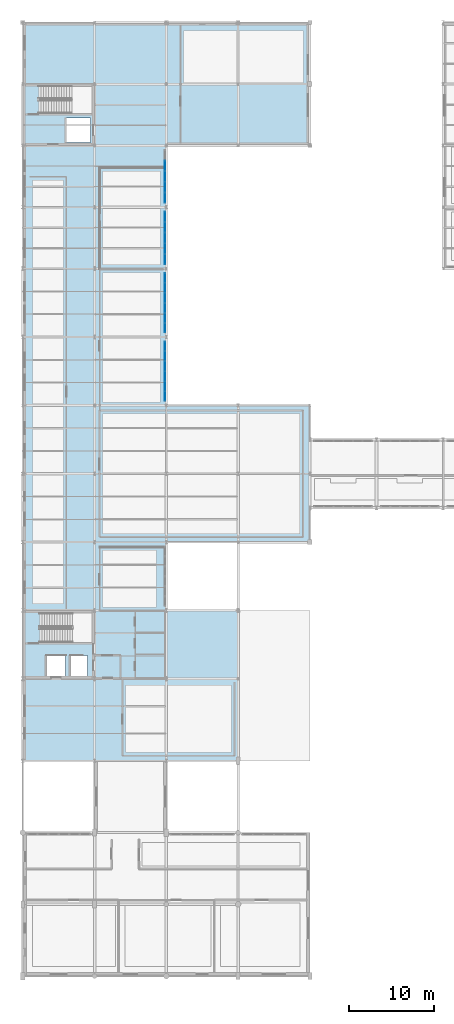
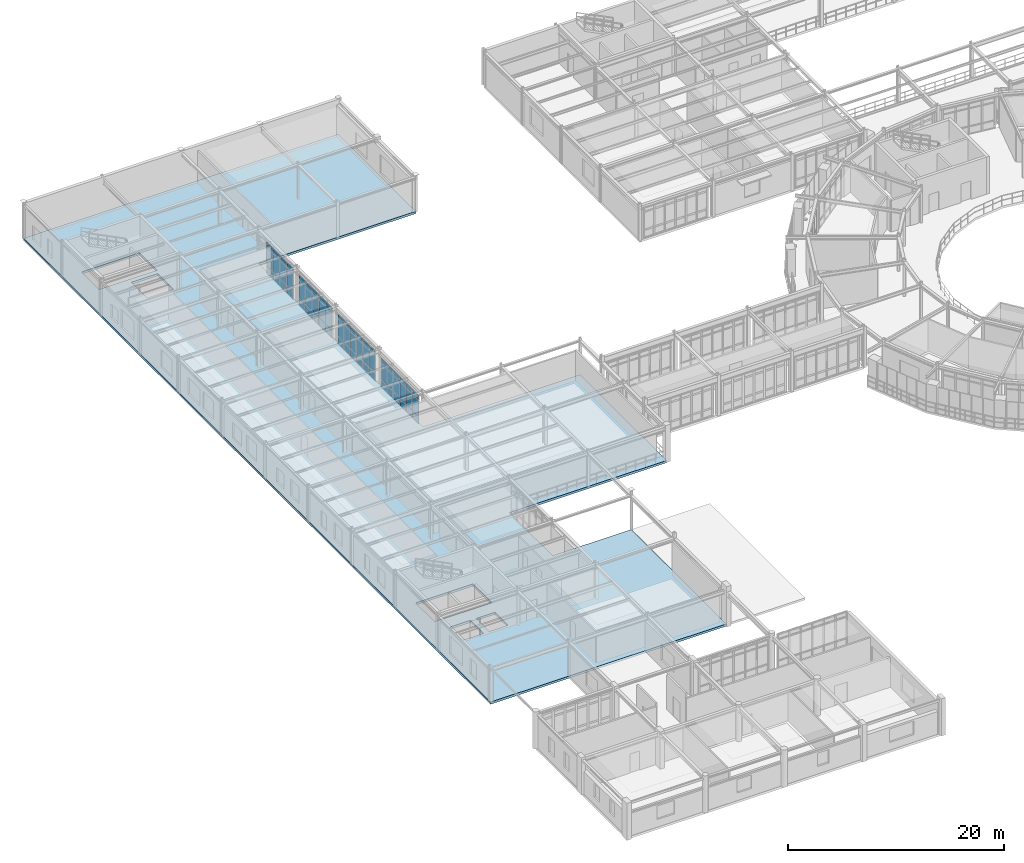
# One storey, part 62 of 90: 63 plates, 1 slab, 4 elements without a shape of their own.
"""IFC4 building model written with IfcOpenShell, lengths in metres."""

from ifc_helpers import new_model, si_unit, derived_unit, direction, frame, origin, origin_2d, place, context, subcontext, project, spatial, polyline, rectangle, outline, extrude, material, layer, layer_set, type_object, element, aggregate, save


model = new_model("IFC4")

# Units and contexts
model_context = context("Model", 3, precision=1e-05, world=origin(), true_north=direction((0.0, 1.0)))
body_context = subcontext(model_context, "Body", "Model", "MODEL_VIEW")
ifc_project = project(units=[si_unit("LENGTHUNIT", "METRE"), si_unit("AREAUNIT", "SQUARE_METRE"), si_unit("VOLUMEUNIT", "CUBIC_METRE"), si_unit("PLANEANGLEUNIT", "RADIAN"), si_unit("MASSUNIT", "GRAM", prefix="KILO"), derived_unit("THERMALTRANSMITTANCEUNIT", [(si_unit("POWERUNIT", "WATT"), 1), (si_unit("AREAUNIT", "SQUARE_METRE"), -1), (si_unit("THERMODYNAMICTEMPERATUREUNIT", "KELVIN"), -1)])], contexts=[model_context])

# Site, building, storey
site_placement = place(None, origin())
site = spatial("IfcSite", under=ifc_project, at=site_placement, CompositionType="ELEMENT")
building_placement = place(site_placement, origin())
building = spatial("IfcBuilding", under=site, at=building_placement, Name="Yasenodar Specialist Clinic", CompositionType="ELEMENT")
storey_placement = place(building_placement, frame((0.0, 0.0, 9.0)))
storey = spatial("IfcBuildingStorey", under=building, at=storey_placement, Name="L02", CompositionType="ELEMENT", Elevation=9.0)

# Curtain wall, plates
ifc_material_1 = material(Name="Bronze Anodized Aluminium and Triple Low-E Glass", Category="aluminium")
ifc_layer_1 = layer(ifc_material_1, 0.202880859375)
ifc_layer_set_1 = layer_set([ifc_layer_1], Name="Bronze Anodized Aluminium and Triple Low-E Glass")
curtain_wall_type = type_object("IfcCurtainWallType", Name="CW-SYS-04", PredefinedType="USERDEFINED", material=ifc_layer_set_1)
curtain_wall_1_placement = place(storey_placement, origin())
curtain_wall_1 = element("IfcCurtainWall", 1, at=curtain_wall_1_placement, inside=storey, type_object=curtain_wall_type, Name="L02 Unitised Curtain Wall 128", ObjectType="UNITISED CURTAIN WALL", PredefinedType="USERDEFINED")
ifc_material_2 = material(Name="Triple Low-E Argon Glazing", Category="glass")
ifc_layer_2 = layer(ifc_material_2, 0.028076171875)
ifc_layer_set_2 = layer_set([ifc_layer_2], Name="Triple Low-E Argon Glazing")
plate_type_1 = type_object("IfcPlateType", Name="CW-PAN-1", PredefinedType="CURTAIN_PANEL", material=ifc_layer_set_2)
plate_1_placement = place(storey_placement, frame((16.64990234375, 81.71826171875, 0.06005859375), z_axis=(0.0, 0.0, 1.0), x_axis=(0.0, -1.0, 0.0)))
plate_1 = element("IfcPlate", 2, at=plate_1_placement, type_object=plate_type_1, Name="CW-04 panel 1.1", PredefinedType="CURTAIN_PANEL", context=body_context, shape_type="SweptSolid", body=[
    extrude(rectangle(XDim=1.083251953125, YDim=0.028076171875, at=origin_2d()), origin(), (0.0, 0.0, 1.0), 0.81005859375),
])
plate_2_placement = place(storey_placement, frame((16.64990234375, 81.71826171875, 0.929931640625), z_axis=(0.0, 0.0, 1.0), x_axis=(0.0, -1.0, 0.0)))
plate_2 = element("IfcPlate", 3, at=plate_2_placement, type_object=plate_type_1, Name="CW-04 panel 1.2", PredefinedType="CURTAIN_PANEL", context=body_context, shape_type="SweptSolid", body=[
    extrude(rectangle(XDim=1.083251953125, YDim=0.028076171875, at=origin_2d()), origin(), (0.0, 0.0, 1.0), 1.91796875),
])
plate_3_placement = place(storey_placement, frame((16.64990234375, 81.71826171875, 2.908203125), z_axis=(0.0, 0.0, 1.0), x_axis=(0.0, -1.0, 0.0)))
plate_3 = element("IfcPlate", 4, at=plate_3_placement, type_object=plate_type_1, Name="CW-04 panel 1.3", PredefinedType="CURTAIN_PANEL", context=body_context, shape_type="SweptSolid", body=[
    extrude(rectangle(XDim=1.083251953125, YDim=0.028076171875, at=origin_2d()), origin(), (0.0, 0.0, 1.0), 0.510009765625),
])
plate_4_placement = place(storey_placement, frame((16.64990234375, 80.56005859375, 0.06005859375), z_axis=(0.0, 0.0, 1.0), x_axis=(0.0, -1.0, 0.0)))
plate_4 = element("IfcPlate", 5, at=plate_4_placement, type_object=plate_type_1, Name="CW-04 panel 2.1", PredefinedType="CURTAIN_PANEL", context=body_context, shape_type="SweptSolid", body=[
    extrude(rectangle(XDim=1.11328125, YDim=0.028076171875, at=origin_2d()), origin(), (0.0, 0.0, 1.0), 0.81005859375),
])
plate_5_placement = place(storey_placement, frame((16.64990234375, 80.56005859375, 0.929931640625), z_axis=(0.0, 0.0, 1.0), x_axis=(0.0, -1.0, 0.0)))
plate_5 = element("IfcPlate", 6, at=plate_5_placement, type_object=plate_type_1, Name="CW-04 panel 2.2", PredefinedType="CURTAIN_PANEL", context=body_context, shape_type="SweptSolid", body=[
    extrude(rectangle(XDim=1.11328125, YDim=0.028076171875, at=origin_2d()), origin(), (0.0, 0.0, 1.0), 1.91796875),
])
plate_6_placement = place(storey_placement, frame((16.64990234375, 80.56005859375, 2.908203125), z_axis=(0.0, 0.0, 1.0), x_axis=(0.0, -1.0, 0.0)))
plate_6 = element("IfcPlate", 7, at=plate_6_placement, type_object=plate_type_1, Name="CW-04 panel 2.3", PredefinedType="CURTAIN_PANEL", context=body_context, shape_type="SweptSolid", body=[
    extrude(rectangle(XDim=1.11328125, YDim=0.028076171875, at=origin_2d()), origin(), (0.0, 0.0, 1.0), 0.510009765625),
])
plate_7_placement = place(storey_placement, frame((16.64990234375, 79.38671875, 0.06005859375), z_axis=(0.0, 0.0, 1.0), x_axis=(0.0, -1.0, 0.0)))
plate_7 = element("IfcPlate", 8, at=plate_7_placement, type_object=plate_type_1, Name="CW-04 panel 3.1", PredefinedType="CURTAIN_PANEL", context=body_context, shape_type="SweptSolid", body=[
    extrude(rectangle(XDim=1.11328125, YDim=0.028076171875, at=origin_2d()), origin(), (0.0, 0.0, 1.0), 0.81005859375),
])
plate_8_placement = place(storey_placement, frame((16.64990234375, 79.38671875, 0.929931640625), z_axis=(0.0, 0.0, 1.0), x_axis=(0.0, -1.0, 0.0)))
plate_8 = element("IfcPlate", 9, at=plate_8_placement, type_object=plate_type_1, Name="CW-04 panel 3.2", PredefinedType="CURTAIN_PANEL", context=body_context, shape_type="SweptSolid", body=[
    extrude(rectangle(XDim=1.11328125, YDim=0.028076171875, at=origin_2d()), origin(), (0.0, 0.0, 1.0), 1.91796875),
])
plate_9_placement = place(storey_placement, frame((16.64990234375, 79.38671875, 2.908203125), z_axis=(0.0, 0.0, 1.0), x_axis=(0.0, -1.0, 0.0)))
plate_9 = element("IfcPlate", 10, at=plate_9_placement, type_object=plate_type_1, Name="CW-04 panel 3.3", PredefinedType="CURTAIN_PANEL", context=body_context, shape_type="SweptSolid", body=[
    extrude(rectangle(XDim=1.11328125, YDim=0.028076171875, at=origin_2d()), origin(), (0.0, 0.0, 1.0), 0.510009765625),
])
plate_10_placement = place(storey_placement, frame((16.64990234375, 78.21337890625, 0.06005859375), z_axis=(0.0, 0.0, 1.0), x_axis=(0.0, -1.0, 0.0)))
plate_10 = element("IfcPlate", 11, at=plate_10_placement, type_object=plate_type_1, Name="CW-04 panel 4.1", PredefinedType="CURTAIN_PANEL", context=body_context, shape_type="SweptSolid", body=[
    extrude(rectangle(XDim=1.11328125, YDim=0.028076171875, at=origin_2d()), origin(), (0.0, 0.0, 1.0), 0.81005859375),
])
plate_11_placement = place(storey_placement, frame((16.64990234375, 78.21337890625, 0.929931640625), z_axis=(0.0, 0.0, 1.0), x_axis=(0.0, -1.0, 0.0)))
plate_11 = element("IfcPlate", 12, at=plate_11_placement, type_object=plate_type_1, Name="CW-04 panel 4.2", PredefinedType="CURTAIN_PANEL", context=body_context, shape_type="SweptSolid", body=[
    extrude(rectangle(XDim=1.11328125, YDim=0.028076171875, at=origin_2d()), origin(), (0.0, 0.0, 1.0), 1.91796875),
])
plate_12_placement = place(storey_placement, frame((16.64990234375, 78.21337890625, 2.908203125), z_axis=(0.0, 0.0, 1.0), x_axis=(0.0, -1.0, 0.0)))
plate_12 = element("IfcPlate", 13, at=plate_12_placement, type_object=plate_type_1, Name="CW-04 panel 4.3", PredefinedType="CURTAIN_PANEL", context=body_context, shape_type="SweptSolid", body=[
    extrude(rectangle(XDim=1.11328125, YDim=0.028076171875, at=origin_2d()), origin(), (0.0, 0.0, 1.0), 0.510009765625),
])
plate_13_placement = place(storey_placement, frame((16.64990234375, 77.0400390625, 0.06005859375), z_axis=(0.0, 0.0, 1.0), x_axis=(0.0, -1.0, 0.0)))
plate_13 = element("IfcPlate", 14, at=plate_13_placement, type_object=plate_type_1, Name="CW-04 panel 5.1", PredefinedType="CURTAIN_PANEL", context=body_context, shape_type="SweptSolid", body=[
    extrude(rectangle(XDim=1.11328125, YDim=0.028076171875, at=origin_2d()), origin(), (0.0, 0.0, 1.0), 0.81005859375),
])
plate_14_placement = place(storey_placement, frame((16.64990234375, 77.0400390625, 0.929931640625), z_axis=(0.0, 0.0, 1.0), x_axis=(0.0, -1.0, 0.0)))
plate_14 = element("IfcPlate", 15, at=plate_14_placement, type_object=plate_type_1, Name="CW-04 panel 5.2", PredefinedType="CURTAIN_PANEL", context=body_context, shape_type="SweptSolid", body=[
    extrude(rectangle(XDim=1.11328125, YDim=0.028076171875, at=origin_2d()), origin(), (0.0, 0.0, 1.0), 1.91796875),
])
plate_15_placement = place(storey_placement, frame((16.64990234375, 77.0400390625, 2.908203125), z_axis=(0.0, 0.0, 1.0), x_axis=(0.0, -1.0, 0.0)))
plate_15 = element("IfcPlate", 16, at=plate_15_placement, type_object=plate_type_1, Name="CW-04 panel 5.3", PredefinedType="CURTAIN_PANEL", context=body_context, shape_type="SweptSolid", body=[
    extrude(rectangle(XDim=1.11328125, YDim=0.028076171875, at=origin_2d()), origin(), (0.0, 0.0, 1.0), 0.510009765625),
])
plate_16_placement = place(storey_placement, frame((16.64990234375, 75.881591796875, 0.06005859375), z_axis=(0.0, 0.0, 1.0), x_axis=(0.0, -1.0, 0.0)))
plate_16 = element("IfcPlate", 17, at=plate_16_placement, type_object=plate_type_1, Name="CW-04 panel 6.1", PredefinedType="CURTAIN_PANEL", context=body_context, shape_type="SweptSolid", body=[
    extrude(rectangle(XDim=1.083251953125, YDim=0.028076171875, at=origin_2d()), origin(), (0.0, 0.0, 1.0), 0.81005859375),
])
plate_17_placement = place(storey_placement, frame((16.64990234375, 75.881591796875, 0.929931640625), z_axis=(0.0, 0.0, 1.0), x_axis=(0.0, -1.0, 0.0)))
plate_17 = element("IfcPlate", 18, at=plate_17_placement, type_object=plate_type_1, Name="CW-04 panel 6.2", PredefinedType="CURTAIN_PANEL", context=body_context, shape_type="SweptSolid", body=[
    extrude(rectangle(XDim=1.083251953125, YDim=0.028076171875, at=origin_2d()), origin(), (0.0, 0.0, 1.0), 1.91796875),
])
plate_18_placement = place(storey_placement, frame((16.64990234375, 75.881591796875, 2.908203125), z_axis=(0.0, 0.0, 1.0), x_axis=(0.0, -1.0, 0.0)))
plate_18 = element("IfcPlate", 19, at=plate_18_placement, type_object=plate_type_1, Name="CW-04 panel 6.3", PredefinedType="CURTAIN_PANEL", context=body_context, shape_type="SweptSolid", body=[
    extrude(rectangle(XDim=1.083251953125, YDim=0.028076171875, at=origin_2d()), origin(), (0.0, 0.0, 1.0), 0.510009765625),
])
aggregate(curtain_wall_1, [plate_1, plate_2, plate_3, plate_4, plate_5, plate_6, plate_7, plate_8, plate_9, plate_10, plate_11, plate_12, plate_13, plate_14, plate_15, plate_16, plate_17, plate_18])

curtain_wall_2_placement = place(storey_placement, origin())
curtain_wall_2 = element("IfcCurtainWall", 20, at=curtain_wall_2_placement, inside=storey, type_object=curtain_wall_type, Name="L02 Unitised Curtain Wall 129", ObjectType="UNITISED CURTAIN WALL", PredefinedType="USERDEFINED")
ifc_layer_3 = layer(ifc_material_2, 0.033935546875)
ifc_layer_set_3 = layer_set([ifc_layer_3], Name="Triple Low-E Argon Glazing")
plate_type_2 = type_object("IfcPlateType", Name="CW-PAN-2", PredefinedType="CURTAIN_PANEL", material=ifc_layer_set_3)
plate_19_placement = place(storey_placement, frame((16.64990234375, 73.71826171875, 0.06005859375), z_axis=(0.0, 0.0, 1.0), x_axis=(0.0, -1.0, 0.0)))
plate_19 = element("IfcPlate", 21, at=plate_19_placement, type_object=plate_type_2, Name="CW-04 panel 1.1", PredefinedType="CURTAIN_PANEL", context=body_context, shape_type="SweptSolid", body=[
    extrude(rectangle(XDim=1.083251953125, YDim=0.033935546875, at=origin_2d()), origin(), (0.0, 0.0, 1.0), 0.81005859375),
])
plate_20_placement = place(storey_placement, frame((16.64990234375, 73.71826171875, 0.929931640625), z_axis=(0.0, 0.0, 1.0), x_axis=(0.0, -1.0, 0.0)))
plate_20 = element("IfcPlate", 22, at=plate_20_placement, type_object=plate_type_2, Name="CW-04 panel 1.2", PredefinedType="CURTAIN_PANEL", context=body_context, shape_type="SweptSolid", body=[
    extrude(rectangle(XDim=1.083251953125, YDim=0.033935546875, at=origin_2d()), origin(), (0.0, 0.0, 1.0), 1.76806640625),
])
plate_21_placement = place(storey_placement, frame((16.64990234375, 73.71826171875, 2.7578125), z_axis=(0.0, 0.0, 1.0), x_axis=(0.0, -1.0, 0.0)))
plate_21 = element("IfcPlate", 23, at=plate_21_placement, type_object=plate_type_2, Name="CW-04 panel 1.3", PredefinedType="CURTAIN_PANEL", context=body_context, shape_type="SweptSolid", body=[
    extrude(rectangle(XDim=1.083251953125, YDim=0.033935546875, at=origin_2d()), origin(), (0.0, 0.0, 1.0), 0.510009765625),
])
plate_22_placement = place(storey_placement, frame((16.64990234375, 72.56005859375, 0.06005859375), z_axis=(0.0, 0.0, 1.0), x_axis=(0.0, -1.0, 0.0)))
plate_22 = element("IfcPlate", 24, at=plate_22_placement, type_object=plate_type_2, Name="CW-04 panel 2.1", PredefinedType="CURTAIN_PANEL", context=body_context, shape_type="SweptSolid", body=[
    extrude(rectangle(XDim=1.11328125, YDim=0.033935546875, at=origin_2d()), origin(), (0.0, 0.0, 1.0), 0.81005859375),
])
plate_23_placement = place(storey_placement, frame((16.64990234375, 72.56005859375, 0.929931640625), z_axis=(0.0, 0.0, 1.0), x_axis=(0.0, -1.0, 0.0)))
plate_23 = element("IfcPlate", 25, at=plate_23_placement, type_object=plate_type_2, Name="CW-04 panel 2.2", PredefinedType="CURTAIN_PANEL", context=body_context, shape_type="SweptSolid", body=[
    extrude(rectangle(XDim=1.11328125, YDim=0.033935546875, at=origin_2d()), origin(), (0.0, 0.0, 1.0), 1.76806640625),
])
plate_24_placement = place(storey_placement, frame((16.64990234375, 72.56005859375, 2.7578125), z_axis=(0.0, 0.0, 1.0), x_axis=(0.0, -1.0, 0.0)))
plate_24 = element("IfcPlate", 26, at=plate_24_placement, type_object=plate_type_2, Name="CW-04 panel 2.3", PredefinedType="CURTAIN_PANEL", context=body_context, shape_type="SweptSolid", body=[
    extrude(rectangle(XDim=1.11328125, YDim=0.033935546875, at=origin_2d()), origin(), (0.0, 0.0, 1.0), 0.510009765625),
])
plate_25_placement = place(storey_placement, frame((16.64990234375, 71.38671875, 0.06005859375), z_axis=(0.0, 0.0, 1.0), x_axis=(0.0, -1.0, 0.0)))
plate_25 = element("IfcPlate", 27, at=plate_25_placement, type_object=plate_type_2, Name="CW-04 panel 3.1", PredefinedType="CURTAIN_PANEL", context=body_context, shape_type="SweptSolid", body=[
    extrude(rectangle(XDim=1.11328125, YDim=0.033935546875, at=origin_2d()), origin(), (0.0, 0.0, 1.0), 0.81005859375),
])
plate_26_placement = place(storey_placement, frame((16.64990234375, 71.38671875, 0.929931640625), z_axis=(0.0, 0.0, 1.0), x_axis=(0.0, -1.0, 0.0)))
plate_26 = element("IfcPlate", 28, at=plate_26_placement, type_object=plate_type_2, Name="CW-04 panel 3.2", PredefinedType="CURTAIN_PANEL", context=body_context, shape_type="SweptSolid", body=[
    extrude(rectangle(XDim=1.11328125, YDim=0.033935546875, at=origin_2d()), origin(), (0.0, 0.0, 1.0), 1.76806640625),
])
plate_27_placement = place(storey_placement, frame((16.64990234375, 71.38671875, 2.7578125), z_axis=(0.0, 0.0, 1.0), x_axis=(0.0, -1.0, 0.0)))
plate_27 = element("IfcPlate", 29, at=plate_27_placement, type_object=plate_type_2, Name="CW-04 panel 3.3", PredefinedType="CURTAIN_PANEL", context=body_context, shape_type="SweptSolid", body=[
    extrude(rectangle(XDim=1.11328125, YDim=0.033935546875, at=origin_2d()), origin(), (0.0, 0.0, 1.0), 0.510009765625),
])
plate_28_placement = place(storey_placement, frame((16.64990234375, 70.21337890625, 0.06005859375), z_axis=(0.0, 0.0, 1.0), x_axis=(0.0, -1.0, 0.0)))
plate_28 = element("IfcPlate", 30, at=plate_28_placement, type_object=plate_type_2, Name="CW-04 panel 4.1", PredefinedType="CURTAIN_PANEL", context=body_context, shape_type="SweptSolid", body=[
    extrude(rectangle(XDim=1.11328125, YDim=0.033935546875, at=origin_2d()), origin(), (0.0, 0.0, 1.0), 0.81005859375),
])
plate_29_placement = place(storey_placement, frame((16.64990234375, 70.21337890625, 0.929931640625), z_axis=(0.0, 0.0, 1.0), x_axis=(0.0, -1.0, 0.0)))
plate_29 = element("IfcPlate", 31, at=plate_29_placement, type_object=plate_type_2, Name="CW-04 panel 4.2", PredefinedType="CURTAIN_PANEL", context=body_context, shape_type="SweptSolid", body=[
    extrude(rectangle(XDim=1.11328125, YDim=0.033935546875, at=origin_2d()), origin(), (0.0, 0.0, 1.0), 1.76806640625),
])
plate_30_placement = place(storey_placement, frame((16.64990234375, 70.21337890625, 2.7578125), z_axis=(0.0, 0.0, 1.0), x_axis=(0.0, -1.0, 0.0)))
plate_30 = element("IfcPlate", 32, at=plate_30_placement, type_object=plate_type_2, Name="CW-04 panel 4.3", PredefinedType="CURTAIN_PANEL", context=body_context, shape_type="SweptSolid", body=[
    extrude(rectangle(XDim=1.11328125, YDim=0.033935546875, at=origin_2d()), origin(), (0.0, 0.0, 1.0), 0.510009765625),
])
plate_31_placement = place(storey_placement, frame((16.64990234375, 69.0400390625, 0.06005859375), z_axis=(0.0, 0.0, 1.0), x_axis=(0.0, -1.0, 0.0)))
plate_31 = element("IfcPlate", 33, at=plate_31_placement, type_object=plate_type_2, Name="CW-04 panel 5.1", PredefinedType="CURTAIN_PANEL", context=body_context, shape_type="SweptSolid", body=[
    extrude(rectangle(XDim=1.11328125, YDim=0.033935546875, at=origin_2d()), origin(), (0.0, 0.0, 1.0), 0.81005859375),
])
plate_32_placement = place(storey_placement, frame((16.64990234375, 69.0400390625, 0.929931640625), z_axis=(0.0, 0.0, 1.0), x_axis=(0.0, -1.0, 0.0)))
plate_32 = element("IfcPlate", 34, at=plate_32_placement, type_object=plate_type_2, Name="CW-04 panel 5.2", PredefinedType="CURTAIN_PANEL", context=body_context, shape_type="SweptSolid", body=[
    extrude(rectangle(XDim=1.11328125, YDim=0.033935546875, at=origin_2d()), origin(), (0.0, 0.0, 1.0), 1.76806640625),
])
plate_33_placement = place(storey_placement, frame((16.64990234375, 69.0400390625, 2.7578125), z_axis=(0.0, 0.0, 1.0), x_axis=(0.0, -1.0, 0.0)))
plate_33 = element("IfcPlate", 35, at=plate_33_placement, type_object=plate_type_2, Name="CW-04 panel 5.3", PredefinedType="CURTAIN_PANEL", context=body_context, shape_type="SweptSolid", body=[
    extrude(rectangle(XDim=1.11328125, YDim=0.033935546875, at=origin_2d()), origin(), (0.0, 0.0, 1.0), 0.510009765625),
])
plate_34_placement = place(storey_placement, frame((16.64990234375, 67.881591796875, 0.06005859375), z_axis=(0.0, 0.0, 1.0), x_axis=(0.0, -1.0, 0.0)))
plate_34 = element("IfcPlate", 36, at=plate_34_placement, type_object=plate_type_2, Name="CW-04 panel 6.1", PredefinedType="CURTAIN_PANEL", context=body_context, shape_type="SweptSolid", body=[
    extrude(rectangle(XDim=1.083251953125, YDim=0.033935546875, at=origin_2d()), origin(), (0.0, 0.0, 1.0), 0.81005859375),
])
plate_35_placement = place(storey_placement, frame((16.64990234375, 67.881591796875, 0.929931640625), z_axis=(0.0, 0.0, 1.0), x_axis=(0.0, -1.0, 0.0)))
plate_35 = element("IfcPlate", 37, at=plate_35_placement, type_object=plate_type_2, Name="CW-04 panel 6.2", PredefinedType="CURTAIN_PANEL", context=body_context, shape_type="SweptSolid", body=[
    extrude(rectangle(XDim=1.083251953125, YDim=0.033935546875, at=origin_2d()), origin(), (0.0, 0.0, 1.0), 1.76806640625),
])
plate_36_placement = place(storey_placement, frame((16.64990234375, 67.881591796875, 2.7578125), z_axis=(0.0, 0.0, 1.0), x_axis=(0.0, -1.0, 0.0)))
plate_36 = element("IfcPlate", 38, at=plate_36_placement, type_object=plate_type_2, Name="CW-04 panel 6.3", PredefinedType="CURTAIN_PANEL", context=body_context, shape_type="SweptSolid", body=[
    extrude(rectangle(XDim=1.083251953125, YDim=0.033935546875, at=origin_2d()), origin(), (0.0, 0.0, 1.0), 0.510009765625),
])
aggregate(curtain_wall_2, [plate_19, plate_20, plate_21, plate_22, plate_23, plate_24, plate_25, plate_26, plate_27, plate_28, plate_29, plate_30, plate_31, plate_32, plate_33, plate_34, plate_35, plate_36])

curtain_wall_3_placement = place(storey_placement, origin())
curtain_wall_3 = element("IfcCurtainWall", 39, at=curtain_wall_3_placement, inside=storey, type_object=curtain_wall_type, Name="L02 Unitised Curtain Wall 126", ObjectType="UNITISED CURTAIN WALL", PredefinedType="USERDEFINED")
ifc_layer_4 = layer(ifc_material_2, 0.0400390625)
ifc_layer_set_4 = layer_set([ifc_layer_4], Name="Triple Low-E Argon Glazing")
plate_type_3 = type_object("IfcPlateType", Name="CW-PAN-3", PredefinedType="CURTAIN_PANEL", material=ifc_layer_set_4)
plate_37_placement = place(storey_placement, frame((16.64990234375, 94.847900390625, 0.06005859375), z_axis=(0.0, 0.0, 1.0), x_axis=(0.0, -1.0, 0.0)))
plate_37 = element("IfcPlate", 40, at=plate_37_placement, type_object=plate_type_3, Name="CW-04 panel 2.1", PredefinedType="CURTAIN_PANEL", context=body_context, shape_type="SweptSolid", body=[
    extrude(rectangle(XDim=1.18798828125, YDim=0.0400390625, at=origin_2d()), origin(), (0.0, 0.0, 1.0), 0.81005859375),
])
plate_38_placement = place(storey_placement, frame((16.64990234375, 94.847900390625, 0.93017578125), z_axis=(0.0, 0.0, 1.0), x_axis=(0.0, -1.0, 0.0)))
plate_38 = element("IfcPlate", 41, at=plate_38_placement, type_object=plate_type_3, Name="CW-04 panel 2.2", PredefinedType="CURTAIN_PANEL", context=body_context, shape_type="SweptSolid", body=[
    extrude(rectangle(XDim=1.18798828125, YDim=0.0400390625, at=origin_2d()), origin(), (0.0, 0.0, 1.0), 2.028076171875),
])
plate_39_placement = place(storey_placement, frame((16.64990234375, 94.847900390625, 3.01806640625), z_axis=(0.0, 0.0, 1.0), x_axis=(0.0, -1.0, 0.0)))
plate_39 = element("IfcPlate", 42, at=plate_39_placement, type_object=plate_type_3, Name="CW-04 panel 2.3", PredefinedType="CURTAIN_PANEL", context=body_context, shape_type="SweptSolid", body=[
    extrude(rectangle(XDim=1.18798828125, YDim=0.0400390625, at=origin_2d()), origin(), (0.0, 0.0, 1.0), 0.510009765625),
])
plate_40_placement = place(storey_placement, frame((16.64990234375, 93.60009765625, 0.06005859375), z_axis=(0.0, 0.0, 1.0), x_axis=(0.0, -1.0, 0.0)))
plate_40 = element("IfcPlate", 43, at=plate_40_placement, type_object=plate_type_3, Name="CW-04 panel 3.1", PredefinedType="CURTAIN_PANEL", context=body_context, shape_type="SweptSolid", body=[
    extrude(rectangle(XDim=1.18798828125, YDim=0.0400390625, at=origin_2d()), origin(), (0.0, 0.0, 1.0), 0.81005859375),
])
plate_41_placement = place(storey_placement, frame((16.64990234375, 93.60009765625, 0.93017578125), z_axis=(0.0, 0.0, 1.0), x_axis=(0.0, -1.0, 0.0)))
plate_41 = element("IfcPlate", 44, at=plate_41_placement, type_object=plate_type_3, Name="CW-04 panel 3.2", PredefinedType="CURTAIN_PANEL", context=body_context, shape_type="SweptSolid", body=[
    extrude(rectangle(XDim=1.18798828125, YDim=0.0400390625, at=origin_2d()), origin(), (0.0, 0.0, 1.0), 2.028076171875),
])
plate_42_placement = place(storey_placement, frame((16.64990234375, 93.60009765625, 3.01806640625), z_axis=(0.0, 0.0, 1.0), x_axis=(0.0, -1.0, 0.0)))
plate_42 = element("IfcPlate", 45, at=plate_42_placement, type_object=plate_type_3, Name="CW-04 panel 3.3", PredefinedType="CURTAIN_PANEL", context=body_context, shape_type="SweptSolid", body=[
    extrude(rectangle(XDim=1.18798828125, YDim=0.0400390625, at=origin_2d()), origin(), (0.0, 0.0, 1.0), 0.510009765625),
])
plate_43_placement = place(storey_placement, frame((16.64990234375, 92.35205078125, 0.06005859375), z_axis=(0.0, 0.0, 1.0), x_axis=(0.0, -1.0, 0.0)))
plate_43 = element("IfcPlate", 46, at=plate_43_placement, type_object=plate_type_3, Name="CW-04 panel 4.1", PredefinedType="CURTAIN_PANEL", context=body_context, shape_type="SweptSolid", body=[
    extrude(rectangle(XDim=1.18798828125, YDim=0.0400390625, at=origin_2d()), origin(), (0.0, 0.0, 1.0), 0.81005859375),
])
plate_44_placement = place(storey_placement, frame((16.64990234375, 92.35205078125, 0.93017578125), z_axis=(0.0, 0.0, 1.0), x_axis=(0.0, -1.0, 0.0)))
plate_44 = element("IfcPlate", 47, at=plate_44_placement, type_object=plate_type_3, Name="CW-04 panel 4.2", PredefinedType="CURTAIN_PANEL", context=body_context, shape_type="SweptSolid", body=[
    extrude(rectangle(XDim=1.18798828125, YDim=0.0400390625, at=origin_2d()), origin(), (0.0, 0.0, 1.0), 2.028076171875),
])
plate_45_placement = place(storey_placement, frame((16.64990234375, 92.35205078125, 3.01806640625), z_axis=(0.0, 0.0, 1.0), x_axis=(0.0, -1.0, 0.0)))
plate_45 = element("IfcPlate", 48, at=plate_45_placement, type_object=plate_type_3, Name="CW-04 panel 4.3", PredefinedType="CURTAIN_PANEL", context=body_context, shape_type="SweptSolid", body=[
    extrude(rectangle(XDim=1.18798828125, YDim=0.0400390625, at=origin_2d()), origin(), (0.0, 0.0, 1.0), 0.510009765625),
])
plate_46_placement = place(storey_placement, frame((16.64990234375, 91.118896484375, 0.06005859375), z_axis=(0.0, 0.0, 1.0), x_axis=(0.0, -1.0, 0.0)))
plate_46 = element("IfcPlate", 49, at=plate_46_placement, type_object=plate_type_3, Name="CW-04 panel 5.1", PredefinedType="CURTAIN_PANEL", context=body_context, shape_type="SweptSolid", body=[
    extrude(rectangle(XDim=1.157958984375, YDim=0.0400390625, at=origin_2d()), origin(), (0.0, 0.0, 1.0), 0.81005859375),
])
plate_47_placement = place(storey_placement, frame((16.64990234375, 91.118896484375, 0.93017578125), z_axis=(0.0, 0.0, 1.0), x_axis=(0.0, -1.0, 0.0)))
plate_47 = element("IfcPlate", 50, at=plate_47_placement, type_object=plate_type_3, Name="CW-04 panel 5.2", PredefinedType="CURTAIN_PANEL", context=body_context, shape_type="SweptSolid", body=[
    extrude(rectangle(XDim=1.157958984375, YDim=0.0400390625, at=origin_2d()), origin(), (0.0, 0.0, 1.0), 2.028076171875),
])
plate_48_placement = place(storey_placement, frame((16.64990234375, 91.118896484375, 3.01806640625), z_axis=(0.0, 0.0, 1.0), x_axis=(0.0, -1.0, 0.0)))
plate_48 = element("IfcPlate", 51, at=plate_48_placement, type_object=plate_type_3, Name="CW-04 panel 5.3", PredefinedType="CURTAIN_PANEL", context=body_context, shape_type="SweptSolid", body=[
    extrude(rectangle(XDim=1.157958984375, YDim=0.0400390625, at=origin_2d()), origin(), (0.0, 0.0, 1.0), 0.510009765625),
])
aggregate(curtain_wall_3, [plate_37, plate_38, plate_39, plate_40, plate_41, plate_42, plate_43, plate_44, plate_45, plate_46, plate_47, plate_48])

curtain_wall_4_placement = place(storey_placement, origin())
curtain_wall_4 = element("IfcCurtainWall", 52, at=curtain_wall_4_placement, inside=storey, type_object=curtain_wall_type, Name="L02 Unitised Curtain Wall 127", ObjectType="UNITISED CURTAIN WALL", PredefinedType="USERDEFINED")
ifc_layer_5 = layer(ifc_material_2, 0.0458984375)
ifc_layer_set_5 = layer_set([ifc_layer_5], Name="Triple Low-E Argon Glazing")
plate_type_4 = type_object("IfcPlateType", Name="CW-PAN-4", PredefinedType="CURTAIN_PANEL", material=ifc_layer_set_5)
plate_49_placement = place(storey_placement, frame((16.64990234375, 88.881103515625, 0.06005859375), z_axis=(0.0, 0.0, 1.0), x_axis=(0.0, -1.0, 0.0)))
plate_49 = element("IfcPlate", 53, at=plate_49_placement, type_object=plate_type_4, Name="CW-04 panel 1.1", PredefinedType="CURTAIN_PANEL", context=body_context, shape_type="SweptSolid", body=[
    extrude(rectangle(XDim=1.157958984375, YDim=0.0458984375, at=origin_2d()), origin(), (0.0, 0.0, 1.0), 0.81005859375),
])
plate_50_placement = place(storey_placement, frame((16.64990234375, 88.881103515625, 0.93017578125), z_axis=(0.0, 0.0, 1.0), x_axis=(0.0, -1.0, 0.0)))
plate_50 = element("IfcPlate", 54, at=plate_50_placement, type_object=plate_type_4, Name="CW-04 panel 1.2", PredefinedType="CURTAIN_PANEL", context=body_context, shape_type="SweptSolid", body=[
    extrude(rectangle(XDim=1.157958984375, YDim=0.0458984375, at=origin_2d()), origin(), (0.0, 0.0, 1.0), 1.968017578125),
])
plate_51_placement = place(storey_placement, frame((16.64990234375, 88.881103515625, 2.9580078125), z_axis=(0.0, 0.0, 1.0), x_axis=(0.0, -1.0, 0.0)))
plate_51 = element("IfcPlate", 55, at=plate_51_placement, type_object=plate_type_4, Name="CW-04 panel 1.3", PredefinedType="CURTAIN_PANEL", context=body_context, shape_type="SweptSolid", body=[
    extrude(rectangle(XDim=1.157958984375, YDim=0.0458984375, at=origin_2d()), origin(), (0.0, 0.0, 1.0), 0.510009765625),
])
plate_52_placement = place(storey_placement, frame((16.64990234375, 87.64794921875, 0.06005859375), z_axis=(0.0, 0.0, 1.0), x_axis=(0.0, -1.0, 0.0)))
plate_52 = element("IfcPlate", 56, at=plate_52_placement, type_object=plate_type_4, Name="CW-04 panel 2.1", PredefinedType="CURTAIN_PANEL", context=body_context, shape_type="SweptSolid", body=[
    extrude(rectangle(XDim=1.18798828125, YDim=0.0458984375, at=origin_2d()), origin(), (0.0, 0.0, 1.0), 0.81005859375),
])
plate_53_placement = place(storey_placement, frame((16.64990234375, 87.64794921875, 0.93017578125), z_axis=(0.0, 0.0, 1.0), x_axis=(0.0, -1.0, 0.0)))
plate_53 = element("IfcPlate", 57, at=plate_53_placement, type_object=plate_type_4, Name="CW-04 panel 2.2", PredefinedType="CURTAIN_PANEL", context=body_context, shape_type="SweptSolid", body=[
    extrude(rectangle(XDim=1.18798828125, YDim=0.0458984375, at=origin_2d()), origin(), (0.0, 0.0, 1.0), 1.968017578125),
])
plate_54_placement = place(storey_placement, frame((16.64990234375, 87.64794921875, 2.9580078125), z_axis=(0.0, 0.0, 1.0), x_axis=(0.0, -1.0, 0.0)))
plate_54 = element("IfcPlate", 58, at=plate_54_placement, type_object=plate_type_4, Name="CW-04 panel 2.3", PredefinedType="CURTAIN_PANEL", context=body_context, shape_type="SweptSolid", body=[
    extrude(rectangle(XDim=1.18798828125, YDim=0.0458984375, at=origin_2d()), origin(), (0.0, 0.0, 1.0), 0.510009765625),
])
plate_55_placement = place(storey_placement, frame((16.64990234375, 86.39990234375, 0.06005859375), z_axis=(0.0, 0.0, 1.0), x_axis=(0.0, -1.0, 0.0)))
plate_55 = element("IfcPlate", 59, at=plate_55_placement, type_object=plate_type_4, Name="CW-04 panel 3.1", PredefinedType="CURTAIN_PANEL", context=body_context, shape_type="SweptSolid", body=[
    extrude(rectangle(XDim=1.18798828125, YDim=0.0458984375, at=origin_2d()), origin(), (0.0, 0.0, 1.0), 0.81005859375),
])
plate_56_placement = place(storey_placement, frame((16.64990234375, 86.39990234375, 0.93017578125), z_axis=(0.0, 0.0, 1.0), x_axis=(0.0, -1.0, 0.0)))
plate_56 = element("IfcPlate", 60, at=plate_56_placement, type_object=plate_type_4, Name="CW-04 panel 3.2", PredefinedType="CURTAIN_PANEL", context=body_context, shape_type="SweptSolid", body=[
    extrude(rectangle(XDim=1.18798828125, YDim=0.0458984375, at=origin_2d()), origin(), (0.0, 0.0, 1.0), 1.968017578125),
])
plate_57_placement = place(storey_placement, frame((16.64990234375, 86.39990234375, 2.9580078125), z_axis=(0.0, 0.0, 1.0), x_axis=(0.0, -1.0, 0.0)))
plate_57 = element("IfcPlate", 61, at=plate_57_placement, type_object=plate_type_4, Name="CW-04 panel 3.3", PredefinedType="CURTAIN_PANEL", context=body_context, shape_type="SweptSolid", body=[
    extrude(rectangle(XDim=1.18798828125, YDim=0.0458984375, at=origin_2d()), origin(), (0.0, 0.0, 1.0), 0.510009765625),
])
plate_58_placement = place(storey_placement, frame((16.64990234375, 85.152099609375, 0.06005859375), z_axis=(0.0, 0.0, 1.0), x_axis=(0.0, -1.0, 0.0)))
plate_58 = element("IfcPlate", 62, at=plate_58_placement, type_object=plate_type_4, Name="CW-04 panel 4.1", PredefinedType="CURTAIN_PANEL", context=body_context, shape_type="SweptSolid", body=[
    extrude(rectangle(XDim=1.18798828125, YDim=0.0458984375, at=origin_2d()), origin(), (0.0, 0.0, 1.0), 0.81005859375),
])
plate_59_placement = place(storey_placement, frame((16.64990234375, 85.152099609375, 0.93017578125), z_axis=(0.0, 0.0, 1.0), x_axis=(0.0, -1.0, 0.0)))
plate_59 = element("IfcPlate", 63, at=plate_59_placement, type_object=plate_type_4, Name="CW-04 panel 4.2", PredefinedType="CURTAIN_PANEL", context=body_context, shape_type="SweptSolid", body=[
    extrude(rectangle(XDim=1.18798828125, YDim=0.0458984375, at=origin_2d()), origin(), (0.0, 0.0, 1.0), 1.968017578125),
])
plate_60_placement = place(storey_placement, frame((16.64990234375, 85.152099609375, 2.9580078125), z_axis=(0.0, 0.0, 1.0), x_axis=(0.0, -1.0, 0.0)))
plate_60 = element("IfcPlate", 64, at=plate_60_placement, type_object=plate_type_4, Name="CW-04 panel 4.3", PredefinedType="CURTAIN_PANEL", context=body_context, shape_type="SweptSolid", body=[
    extrude(rectangle(XDim=1.18798828125, YDim=0.0458984375, at=origin_2d()), origin(), (0.0, 0.0, 1.0), 0.510009765625),
])
plate_61_placement = place(storey_placement, frame((16.64990234375, 83.9189453125, 0.06005859375), z_axis=(0.0, 0.0, 1.0), x_axis=(0.0, -1.0, 0.0)))
plate_61 = element("IfcPlate", 65, at=plate_61_placement, type_object=plate_type_4, Name="CW-04 panel 5.1", PredefinedType="CURTAIN_PANEL", context=body_context, shape_type="SweptSolid", body=[
    extrude(rectangle(XDim=1.157958984375, YDim=0.0458984375, at=origin_2d()), origin(), (0.0, 0.0, 1.0), 0.81005859375),
])
plate_62_placement = place(storey_placement, frame((16.64990234375, 83.9189453125, 0.93017578125), z_axis=(0.0, 0.0, 1.0), x_axis=(0.0, -1.0, 0.0)))
plate_62 = element("IfcPlate", 66, at=plate_62_placement, type_object=plate_type_4, Name="CW-04 panel 5.2", PredefinedType="CURTAIN_PANEL", context=body_context, shape_type="SweptSolid", body=[
    extrude(rectangle(XDim=1.157958984375, YDim=0.0458984375, at=origin_2d()), origin(), (0.0, 0.0, 1.0), 1.968017578125),
])
plate_63_placement = place(storey_placement, frame((16.64990234375, 83.9189453125, 2.9580078125), z_axis=(0.0, 0.0, 1.0), x_axis=(0.0, -1.0, 0.0)))
plate_63 = element("IfcPlate", 67, at=plate_63_placement, type_object=plate_type_4, Name="CW-04 panel 5.3", PredefinedType="CURTAIN_PANEL", context=body_context, shape_type="SweptSolid", body=[
    extrude(rectangle(XDim=1.157958984375, YDim=0.0458984375, at=origin_2d()), origin(), (0.0, 0.0, 1.0), 0.510009765625),
])
aggregate(curtain_wall_4, [plate_49, plate_50, plate_51, plate_52, plate_53, plate_54, plate_55, plate_56, plate_57, plate_58, plate_59, plate_60, plate_61, plate_62, plate_63])

# Slab
ifc_material_3 = material(Name="Concrete C30/37", Category="concrete")
ifc_layer_6 = layer(ifc_material_3, 0.25)
ifc_layer_set_6 = layer_set([ifc_layer_6], Name="Concrete C30/37")
slab_type = type_object("IfcSlabType", Name="SLB-FLR-250", PredefinedType="FLOOR", material=ifc_layer_set_6)
slab_placement = place(storey_placement, frame((0.0, 0.0, -0.25)))
element("IfcSlab", 68, at=slab_placement, inside=storey, type_object=slab_type, Name="L02 V4 structural slab", PredefinedType="FLOOR", context=body_context, shape_type="SweptSolid", body=[
    extrude(outline(polyline([(0.0, 25.199951171875), (0.0, 111.60009765625), (33.60009765625, 111.60009765625), (33.60009765625, 97.199951171875), (16.800048828125, 97.199951171875), (16.800048828125, 66.800048828125), (33.60009765625, 66.800048828125), (33.60009765625, 50.800048828125), (16.800048828125, 50.800048828125), (16.800048828125, 42.800048828125), (25.199951171875, 42.800048828125), (25.199951171875, 25.199951171875), (16.81494140625, 25.215087890625), (0.0, 25.199951171875)]), holes=[polyline([(8.1201171875, 39.06005859375), (8.1201171875, 42.510009765625), (2.02001953125, 42.510009765625), (2.02001953125, 39.06005859375), (8.1201171875, 39.06005859375)]), polyline([(8.1201171875, 100.9599609375), (8.1201171875, 104.199951171875), (1.929931640625, 104.199951171875), (1.929931640625, 100.9599609375), (8.1201171875, 100.9599609375)]), polyline([(7.60009765625, 35.14990234375), (7.60009765625, 37.550048828125), (5.60009765625, 37.550048828125), (5.60009765625, 35.14990234375), (7.60009765625, 35.14990234375)]), polyline([(5.0, 35.14990234375), (5.0, 37.550048828125), (2.800048828125, 37.550048828125), (2.800048828125, 35.14990234375), (5.0, 35.14990234375)]), polyline([(7.89990234375, 97.550048828125), (7.89990234375, 100.449951171875), (5.10009765625, 100.449951171875), (5.10009765625, 97.550048828125), (7.89990234375, 97.550048828125)])]), origin(), (0.0, 0.0, 1.0), 0.25),
])

save(model, "model.ifc")
